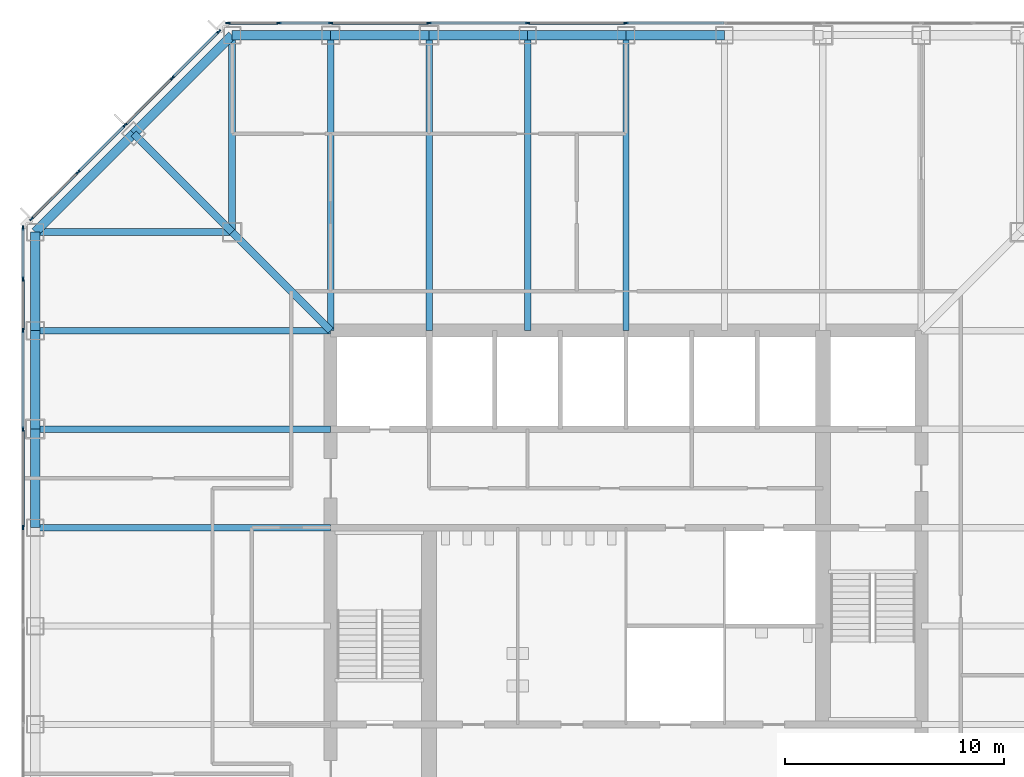
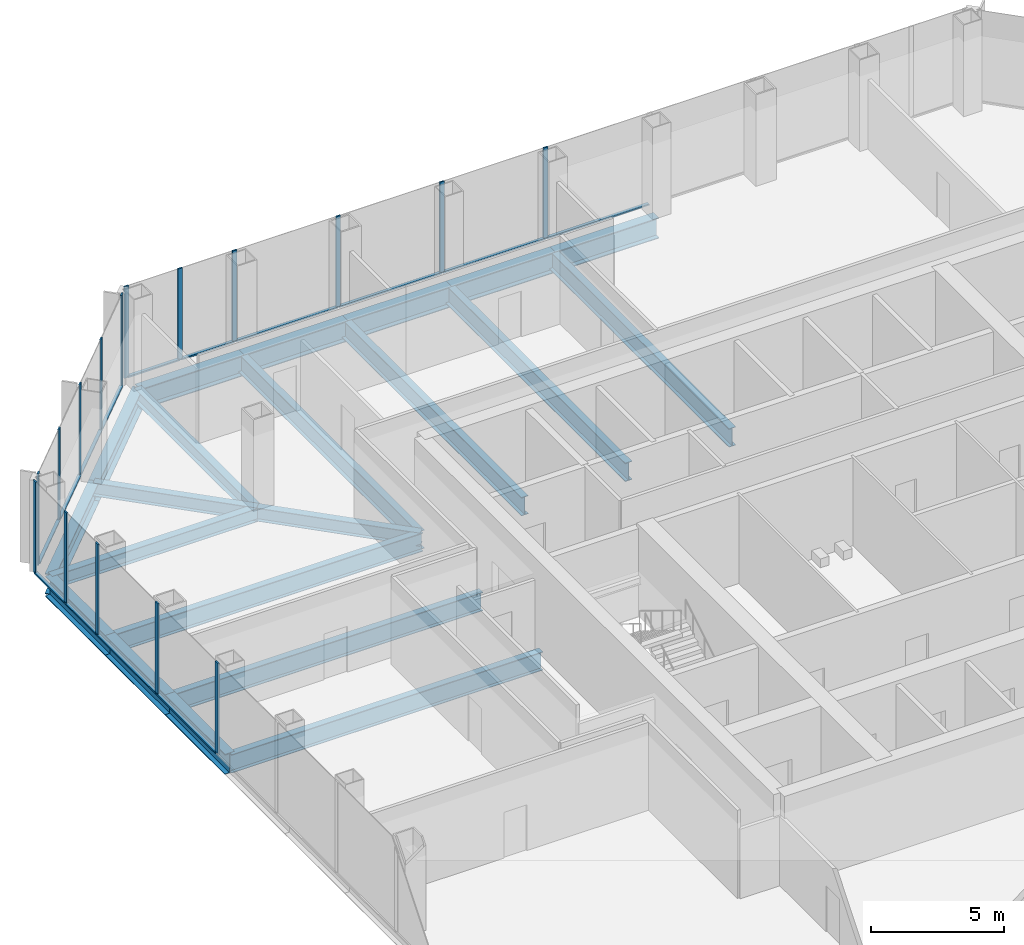
# One storey, part 5 of 13: 30 members, 21 beams, 3 elements without a shape of their own.
"""IFC4 building model written with IfcOpenShell, lengths in metres."""

from ifc_helpers import new_model, si_unit, direction, frame, origin, origin_2d, place, context, subcontext, project, spatial, rectangle, i_section, extrude, material, material_profile, profile_set, type_object, element, aggregate, save


model = new_model("IFC4")

# Units and contexts
model_context = context("Model", 3, precision=1e-05, world=origin(), true_north=direction((0.0, 1.0)))
body_context = subcontext(model_context, "Body", "Model", "MODEL_VIEW")
ifc_project = project(units=[si_unit("LENGTHUNIT", "METRE"), si_unit("AREAUNIT", "SQUARE_METRE"), si_unit("VOLUMEUNIT", "CUBIC_METRE"), si_unit("PLANEANGLEUNIT", "RADIAN"), si_unit("MASSUNIT", "GRAM", prefix="KILO")], contexts=[model_context])

# Site, building, storey
site_placement = place(None, origin())
site = spatial("IfcSite", under=ifc_project, at=site_placement, CompositionType="ELEMENT")
building_placement = place(site_placement, origin())
building = spatial("IfcBuilding", under=site, at=building_placement, Name="Corais Broadcast Tower", CompositionType="ELEMENT")
storey_placement = place(building_placement, frame((0.0, 0.0, 96.199951171875)))
storey = spatial("IfcBuildingStorey", under=building, at=storey_placement, Name="L21", CompositionType="ELEMENT", Elevation=96.199951171875)

# Beams
ifc_material_1 = material(Name="Steel ASTM A572 Grade 50", Category="steel")
ifc_material_profile_1 = material_profile(ifc_material_1, i_section(OverallWidth=0.323974609375, OverallDepth=0.611083984375, WebThickness=0.0126953125, FlangeThickness=0.01904296875, at=origin_2d()), Name="W610x155")
ifc_profile_set_1 = profile_set([ifc_material_profile_1], Name="Steel ASTM A572 Grade 50")
beam_type_1 = type_object("IfcBeamType", Name="Chamfer tie W610x155", PredefinedType="BEAM", material=ifc_profile_set_1)
beam_1_placement = place(storey_placement, frame((4.5, 49.5, -0.46533203125), z_axis=(0.707106781187, -0.707106781187, 0.0), x_axis=(0.707106781187, 0.707106781187, 0.0)))
element("IfcBeam", 1, at=beam_1_placement, inside=storey, type_object=beam_type_1, Name="B5 M/4 to L/5", PredefinedType="BEAM", context=body_context, shape_type="SweptSolid", body=[
    extrude(i_section(OverallWidth=0.323974609375, OverallDepth=0.611083984375, WebThickness=0.0126953125, FlangeThickness=0.01904296875, at=origin_2d()), origin(), (0.0, 0.0, 1.0), 6.364013671875),
])
ifc_material_2 = material(Name="Steel ASTM A572 Grade 50", Category="steel")
ifc_material_profile_2 = material_profile(ifc_material_2, i_section(OverallWidth=0.323974609375, OverallDepth=0.611083984375, WebThickness=0.0126953125, FlangeThickness=0.01904296875, at=origin_2d()), Name="W610x155")
ifc_profile_set_2 = profile_set([ifc_material_profile_2], Name="Steel ASTM A572 Grade 50")
beam_type_2 = type_object("IfcBeamType", Name="Corner diagonal W610x155", PredefinedType="BEAM", material=ifc_profile_set_2)
beam_2_placement = place(storey_placement, frame((9.0, 45.0, -0.46533203125), z_axis=(0.707106781187, -0.707106781187, 0.0), x_axis=(0.707106781187, 0.707106781187, 0.0)))
element("IfcBeam", 2, at=beam_2_placement, inside=storey, type_object=beam_type_2, Name="B6 L/5 to K/6", PredefinedType="BEAM", context=body_context, shape_type="SweptSolid", body=[
    extrude(i_section(OverallWidth=0.323974609375, OverallDepth=0.611083984375, WebThickness=0.0126953125, FlangeThickness=0.01904296875, at=origin_2d()), origin(), (0.0, 0.0, 1.0), 6.364013671875),
])
ifc_material_3 = material(Name="Steel ASTM A572 Grade 50", Category="steel")
ifc_material_profile_3 = material_profile(ifc_material_3, i_section(OverallWidth=0.323974609375, OverallDepth=0.611083984375, WebThickness=0.0126953125, FlangeThickness=0.01904296875, at=origin_2d()), Name="W610x155")
ifc_profile_set_3 = profile_set([ifc_material_profile_3], Name="Steel ASTM A572 Grade 50")
beam_type_3 = type_object("IfcBeamType", Name="Corner girder W610x155", PredefinedType="BEAM", material=ifc_profile_set_3)
for number, where, z_axis, x_axis, name in (
    (3, (0.0, 45.0, -0.46533203125), (1.0, 0.0, 0.0), (0.0, 1.0, 0.0), "B4 L/3 to L/5"),
    (4, (9.0, 54.0, -0.46533203125), (0.0, -1.0, 0.0), (1.0, 0.0, 0.0), "B4 N/5 to L/5"),
):
    element("IfcBeam", number, at=place(storey_placement, frame(where, z_axis=z_axis, x_axis=x_axis)), inside=storey, type_object=beam_type_3, Name=name, PredefinedType="BEAM", context=body_context, shape_type="SweptSolid", body=[
        extrude(i_section(OverallWidth=0.323974609375, OverallDepth=0.611083984375, WebThickness=0.0126953125, FlangeThickness=0.01904296875, at=origin_2d()), origin(), (0.0, 0.0, 1.0), 9.0),
    ])
ifc_material_4 = material(Name="Steel ASTM A572 Grade 50", Category="steel")
ifc_material_profile_4 = material_profile(ifc_material_4, i_section(OverallWidth=0.2939453125, OverallDepth=0.85107421875, WebThickness=0.01611328125, FlangeThickness=0.02685546875, at=origin_2d()), Name="W840x226")
ifc_profile_set_4 = profile_set([ifc_material_profile_4], Name="Steel ASTM A572 Grade 50")
beam_type_4 = type_object("IfcBeamType", Name="Floor beam W840x226", PredefinedType="BEAM", material=ifc_profile_set_4)
for number, where, z_axis, x_axis, name in (
    (5, (0.0, 31.5, -0.58544921875), (1.0, 0.0, 0.0), (0.0, 1.0, 0.0), "B1 H/3 to H/6"),
    (6, (0.0, 36.0, -0.58544921875), (1.0, 0.0, 0.0), (0.0, 1.0, 0.0), "B1 J/3 to J/6"),
    (7, (0.0, 40.5, -0.58544921875), (1.0, 0.0, 0.0), (0.0, 1.0, 0.0), "B1 K/3 to K/6"),
    (8, (13.5, 54.0, -0.58544921875), (0.0, -1.0, 0.0), (1.0, 0.0, 0.0), "B1 N/6 to K/6"),
    (9, (18.0, 54.0, -0.58544921875), (0.0, -1.0, 0.0), (1.0, 0.0, 0.0), "B1 N/7 to K/7"),
    (10, (22.5, 54.0, -0.58544921875), (0.0, -1.0, 0.0), (1.0, 0.0, 0.0), "B1 N/8 to K/8"),
    (11, (27.0, 54.0, -0.58544921875), (0.0, -1.0, 0.0), (1.0, 0.0, 0.0), "B1 N/9 to K/9"),
):
    element("IfcBeam", number, at=place(storey_placement, frame(where, z_axis=z_axis, x_axis=x_axis)), inside=storey, type_object=beam_type_4, Name=name, PredefinedType="BEAM", context=body_context, shape_type="SweptSolid", body=[
        extrude(i_section(OverallWidth=0.2939453125, OverallDepth=0.85107421875, WebThickness=0.01611328125, FlangeThickness=0.02685546875, at=origin_2d()), origin(), (0.0, 0.0, 1.0), 13.5),
    ])

# Curtain wall, members
ifc_material_5 = material(Name="Aluminium and glass", Category="aluminium")
curtain_wall_type = type_object("IfcCurtainWallType", Name="Unitised fritted curtain wall CW1", PredefinedType="NOTDEFINED", material=ifc_material_5)
curtain_wall_1_placement = place(storey_placement, origin())
curtain_wall_1 = element("IfcCurtainWall", 12, at=curtain_wall_1_placement, inside=storey, type_object=curtain_wall_type, Name="CW1 curtain wall L21 2", PredefinedType="NOTDEFINED")
ifc_material_6 = material(Name="Aluminium 6063-T6", Category="aluminium")
ifc_material_profile_5 = material_profile(ifc_material_6, rectangle(XDim=0.06494140625, YDim=0.199951171875, at=origin_2d()), Name="Mullion CW1 65x200")
ifc_profile_set_5 = profile_set([ifc_material_profile_5], Name="Aluminium 6063-T6")
member_type_1 = type_object("IfcMemberType", Name="Mullion CW1 65x200", PredefinedType="MULLION", material=ifc_profile_set_5)
member_1_placement = place(storey_placement, frame((-0.550048828125, 31.5, 0.0), z_axis=(0.0, 0.0, 1.0), x_axis=(-1.0, 0.0, 0.0)))
member_1 = element("IfcMember", 13, at=member_1_placement, type_object=member_type_1, Name="CW1 mullion 7", PredefinedType="MULLION", context=body_context, shape_type="SweptSolid", body=[
    extrude(rectangle(XDim=0.06494140625, YDim=0.199951171875, at=origin_2d()), origin(), (0.0, 0.0, 1.0), 4.199951171875),
])
member_2_placement = place(storey_placement, frame((-0.550048828125, 36.0, 0.0), z_axis=(0.0, 0.0, 1.0), x_axis=(-1.0, 0.0, 0.0)))
member_2 = element("IfcMember", 14, at=member_2_placement, type_object=member_type_1, Name="CW1 mullion 8", PredefinedType="MULLION", context=body_context, shape_type="SweptSolid", body=[
    extrude(rectangle(XDim=0.06494140625, YDim=0.199951171875, at=origin_2d()), origin(), (0.0, 0.0, 1.0), 4.199951171875),
])
member_3_placement = place(storey_placement, frame((-0.550048828125, 40.5, 0.0), z_axis=(0.0, 0.0, 1.0), x_axis=(-1.0, 0.0, 0.0)))
member_3 = element("IfcMember", 15, at=member_3_placement, type_object=member_type_1, Name="CW1 mullion 9", PredefinedType="MULLION", context=body_context, shape_type="SweptSolid", body=[
    extrude(rectangle(XDim=0.06494140625, YDim=0.199951171875, at=origin_2d()), origin(), (0.0, 0.0, 1.0), 4.199951171875),
])
member_4_placement = place(storey_placement, frame((-0.550048828125, 42.864013671875, 0.0), z_axis=(0.0, 0.0, 1.0), x_axis=(-1.0, 0.0, 0.0)))
member_4 = element("IfcMember", 16, at=member_4_placement, type_object=member_type_1, Name="CW1 mullion 10", PredefinedType="MULLION", context=body_context, shape_type="SweptSolid", body=[
    extrude(rectangle(XDim=0.06494140625, YDim=0.199951171875, at=origin_2d()), origin(), (0.0, 0.0, 1.0), 4.199951171875),
])
member_5_placement = place(storey_placement, frame((-0.550048828125, 45.1953125, 0.0), z_axis=(0.0, 0.0, 1.0), x_axis=(-1.0, 0.0, 0.0)))
member_5 = element("IfcMember", 17, at=member_5_placement, type_object=member_type_1, Name="CW1 mullion 11", PredefinedType="MULLION", context=body_context, shape_type="SweptSolid", body=[
    extrude(rectangle(XDim=0.06494140625, YDim=0.199951171875, at=origin_2d()), origin(), (0.0, 0.0, 1.0), 4.199951171875),
])

curtain_wall_2_placement = place(storey_placement, origin())
curtain_wall_2 = element("IfcCurtainWall", 18, at=curtain_wall_2_placement, inside=storey, type_object=curtain_wall_type, Name="CW1 curtain wall L21 3", PredefinedType="NOTDEFINED")
member_6_placement = place(storey_placement, frame((-0.17333984375, 45.6044921875, 0.0), z_axis=(0.0, 0.0, 1.0), x_axis=(-0.707106781187, 0.707106781187, 0.0)))
member_6 = element("IfcMember", 19, at=member_6_placement, type_object=member_type_1, Name="CW1 mullion 1", PredefinedType="MULLION", context=body_context, shape_type="SweptSolid", body=[
    extrude(rectangle(XDim=0.06494140625, YDim=0.199951171875, at=origin_2d()), origin(), (0.0, 0.0, 1.0), 4.199951171875),
])
member_7_placement = place(storey_placement, frame((1.957275390625, 47.735107421875, 0.0), z_axis=(0.0, 0.0, 1.0), x_axis=(-0.707106781187, 0.707106781187, 0.0)))
member_7 = element("IfcMember", 20, at=member_7_placement, type_object=member_type_1, Name="CW1 mullion 2", PredefinedType="MULLION", context=body_context, shape_type="SweptSolid", body=[
    extrude(rectangle(XDim=0.06494140625, YDim=0.199951171875, at=origin_2d()), origin(), (0.0, 0.0, 1.0), 4.199951171875),
])
member_8_placement = place(storey_placement, frame((4.111083984375, 49.888916015625, 0.0), z_axis=(0.0, 0.0, 1.0), x_axis=(-0.707106781187, 0.707106781187, 0.0)))
member_8 = element("IfcMember", 21, at=member_8_placement, type_object=member_type_1, Name="CW1 mullion 3", PredefinedType="MULLION", context=body_context, shape_type="SweptSolid", body=[
    extrude(rectangle(XDim=0.06494140625, YDim=0.199951171875, at=origin_2d()), origin(), (0.0, 0.0, 1.0), 4.199951171875),
])
member_9_placement = place(storey_placement, frame((6.264892578125, 52.042724609375, 0.0), z_axis=(0.0, 0.0, 1.0), x_axis=(-0.707106781187, 0.707106781187, 0.0)))
member_9 = element("IfcMember", 22, at=member_9_placement, type_object=member_type_1, Name="CW1 mullion 4", PredefinedType="MULLION", context=body_context, shape_type="SweptSolid", body=[
    extrude(rectangle(XDim=0.06494140625, YDim=0.199951171875, at=origin_2d()), origin(), (0.0, 0.0, 1.0), 4.199951171875),
])
member_10_placement = place(storey_placement, frame((8.3955078125, 54.17333984375, 0.0), z_axis=(0.0, 0.0, 1.0), x_axis=(-0.707106781187, 0.707106781187, 0.0)))
member_10 = element("IfcMember", 23, at=member_10_placement, type_object=member_type_1, Name="CW1 mullion 5", PredefinedType="MULLION", context=body_context, shape_type="SweptSolid", body=[
    extrude(rectangle(XDim=0.06494140625, YDim=0.199951171875, at=origin_2d()), origin(), (0.0, 0.0, 1.0), 4.199951171875),
])

curtain_wall_3_placement = place(storey_placement, origin())
curtain_wall_3 = element("IfcCurtainWall", 24, at=curtain_wall_3_placement, inside=storey, type_object=curtain_wall_type, Name="CW1 curtain wall L21 4", PredefinedType="NOTDEFINED")
member_11_placement = place(storey_placement, frame((8.8046875, 54.550048828125, 0.0), z_axis=(0.0, 0.0, 1.0), x_axis=(0.0, 1.0, 0.0)))
member_11 = element("IfcMember", 25, at=member_11_placement, type_object=member_type_1, Name="CW1 mullion 1", PredefinedType="MULLION", context=body_context, shape_type="SweptSolid", body=[
    extrude(rectangle(XDim=0.06494140625, YDim=0.199951171875, at=origin_2d()), origin(), (0.0, 0.0, 1.0), 4.199951171875),
])
member_12_placement = place(storey_placement, frame((11.135986328125, 54.550048828125, 0.0), z_axis=(0.0, 0.0, 1.0), x_axis=(0.0, 1.0, 0.0)))
member_12 = element("IfcMember", 26, at=member_12_placement, type_object=member_type_1, Name="CW1 mullion 2", PredefinedType="MULLION", context=body_context, shape_type="SweptSolid", body=[
    extrude(rectangle(XDim=0.06494140625, YDim=0.199951171875, at=origin_2d()), origin(), (0.0, 0.0, 1.0), 4.199951171875),
])
member_13_placement = place(storey_placement, frame((13.5, 54.550048828125, 0.0), z_axis=(0.0, 0.0, 1.0), x_axis=(0.0, 1.0, 0.0)))
member_13 = element("IfcMember", 27, at=member_13_placement, type_object=member_type_1, Name="CW1 mullion 3", PredefinedType="MULLION", context=body_context, shape_type="SweptSolid", body=[
    extrude(rectangle(XDim=0.06494140625, YDim=0.199951171875, at=origin_2d()), origin(), (0.0, 0.0, 1.0), 4.199951171875),
])
member_14_placement = place(storey_placement, frame((18.0, 54.550048828125, 0.0), z_axis=(0.0, 0.0, 1.0), x_axis=(0.0, 1.0, 0.0)))
member_14 = element("IfcMember", 28, at=member_14_placement, type_object=member_type_1, Name="CW1 mullion 4", PredefinedType="MULLION", context=body_context, shape_type="SweptSolid", body=[
    extrude(rectangle(XDim=0.06494140625, YDim=0.199951171875, at=origin_2d()), origin(), (0.0, 0.0, 1.0), 4.199951171875),
])
member_15_placement = place(storey_placement, frame((22.5, 54.550048828125, 0.0), z_axis=(0.0, 0.0, 1.0), x_axis=(0.0, 1.0, 0.0)))
member_15 = element("IfcMember", 29, at=member_15_placement, type_object=member_type_1, Name="CW1 mullion 5", PredefinedType="MULLION", context=body_context, shape_type="SweptSolid", body=[
    extrude(rectangle(XDim=0.06494140625, YDim=0.199951171875, at=origin_2d()), origin(), (0.0, 0.0, 1.0), 4.199951171875),
])
member_16_placement = place(storey_placement, frame((27.0, 54.550048828125, 0.0), z_axis=(0.0, 0.0, 1.0), x_axis=(0.0, 1.0, 0.0)))
member_16 = element("IfcMember", 30, at=member_16_placement, type_object=member_type_1, Name="CW1 mullion 6", PredefinedType="MULLION", context=body_context, shape_type="SweptSolid", body=[
    extrude(rectangle(XDim=0.06494140625, YDim=0.199951171875, at=origin_2d()), origin(), (0.0, 0.0, 1.0), 4.199951171875),
])

# Beams
ifc_material_7 = material(Name="Steel ASTM A572 Grade 50", Category="steel")
ifc_material_profile_6 = material_profile(ifc_material_7, i_section(OverallWidth=0.4189453125, OverallDepth=0.94189453125, WebThickness=0.022216796875, FlangeThickness=0.03662109375, at=origin_2d()), Name="W920x345")
ifc_profile_set_6 = profile_set([ifc_material_profile_6], Name="Steel ASTM A572 Grade 50")
beam_type_5 = type_object("IfcBeamType", Name="Transfer spandrel W920x345", PredefinedType="BEAM", material=ifc_profile_set_6)
for number, where, z_axis, x_axis, name in (
    (31, (0.0, 36.0, -0.630859375), (0.0, -1.0, 0.0), (1.0, 0.0, 0.0), "SB4 J/3 to H/3"),
    (32, (0.0, 40.5, -0.630859375), (0.0, -1.0, 0.0), (1.0, 0.0, 0.0), "SB4 K/3 to J/3"),
    (33, (0.0, 45.0, -0.630859375), (0.0, -1.0, 0.0), (1.0, 0.0, 0.0), "SB4 L/3 to K/3"),
    (34, (13.5, 54.0, -0.630859375), (-1.0, 0.0, 0.0), (0.0, -1.0, 0.0), "SB4 N/6 to N/5"),
    (35, (18.0, 54.0, -0.630859375), (-1.0, 0.0, 0.0), (0.0, -1.0, 0.0), "SB4 N/7 to N/6"),
    (36, (22.5, 54.0, -0.630859375), (-1.0, 0.0, 0.0), (0.0, -1.0, 0.0), "SB4 N/8 to N/7"),
    (37, (27.0, 54.0, -0.630859375), (-1.0, 0.0, 0.0), (0.0, -1.0, 0.0), "SB4 N/9 to N/8"),
    (38, (31.5, 54.0, -0.630859375), (-1.0, 0.0, 0.0), (0.0, -1.0, 0.0), "SB4 N/10 to N/9"),
):
    element("IfcBeam", number, at=place(storey_placement, frame(where, z_axis=z_axis, x_axis=x_axis)), inside=storey, type_object=beam_type_5, Name=name, PredefinedType="BEAM", context=body_context, shape_type="SweptSolid", body=[
        extrude(i_section(OverallWidth=0.4189453125, OverallDepth=0.94189453125, WebThickness=0.022216796875, FlangeThickness=0.03662109375, at=origin_2d()), origin(), (0.0, 0.0, 1.0), 4.5),
    ])
for number, where, z_axis, x_axis, name in (
    (39, (4.5, 49.5, -0.630859375), (-0.707106781187, -0.707106781187, 0.0), (0.707106781187, -0.707106781187, 0.0), "SB4 M/4 to L/3"),
    (40, (9.0, 54.0, -0.630859375), (-0.707106781187, -0.707106781187, 0.0), (0.707106781187, -0.707106781187, 0.0), "SB4 N/5 to M/4"),
):
    element("IfcBeam", number, at=place(storey_placement, frame(where, z_axis=z_axis, x_axis=x_axis)), inside=storey, type_object=beam_type_5, Name=name, PredefinedType="BEAM", context=body_context, shape_type="SweptSolid", body=[
        extrude(i_section(OverallWidth=0.4189453125, OverallDepth=0.94189453125, WebThickness=0.022216796875, FlangeThickness=0.03662109375, at=origin_2d()), origin(), (0.0, 0.0, 1.0), 6.364013671875),
    ])

# Member
ifc_material_8 = material(Name="Aluminium 6063-T6", Category="aluminium")
ifc_material_profile_7 = material_profile(ifc_material_8, rectangle(XDim=0.139892578125, YDim=0.06494140625, at=origin_2d()), Name="Transom CW1 65x140")
ifc_profile_set_7 = profile_set([ifc_material_profile_7], Name="Aluminium 6063-T6")
member_type_2 = type_object("IfcMemberType", Name="Transom CW1 65x140", PredefinedType="USERDEFINED", material=ifc_profile_set_7)
member_17_placement = place(storey_placement, frame((-0.550048828125, 31.532470703125, 0.032470703125), z_axis=(0.0, 1.0, 0.0), x_axis=(-1.0, 0.0, 0.0)))
member_17 = element("IfcMember", 41, at=member_17_placement, type_object=member_type_2, Name="CW1 transom 7.1", ObjectType="TRANSOM", PredefinedType="USERDEFINED", context=body_context, shape_type="SweptSolid", body=[
    extrude(rectangle(XDim=0.139892578125, YDim=0.06494140625, at=origin_2d()), origin(), (0.0, 0.0, 1.0), 4.43505859375),
])

member_18_placement = place(storey_placement, frame((-0.550048828125, 36.032470703125, 0.032470703125), z_axis=(0.0, 1.0, 0.0), x_axis=(-1.0, 0.0, 0.0)))
member_18 = element("IfcMember", 42, at=member_18_placement, type_object=member_type_2, Name="CW1 transom 8.1", ObjectType="TRANSOM", PredefinedType="USERDEFINED", context=body_context, shape_type="SweptSolid", body=[
    extrude(rectangle(XDim=0.139892578125, YDim=0.06494140625, at=origin_2d()), origin(), (0.0, 0.0, 1.0), 4.43505859375),
])

member_19_placement = place(storey_placement, frame((-0.550048828125, 40.532470703125, 0.032470703125), z_axis=(0.0, 1.0, 0.0), x_axis=(-1.0, 0.0, 0.0)))
member_19 = element("IfcMember", 43, at=member_19_placement, type_object=member_type_2, Name="CW1 transom 9.1", ObjectType="TRANSOM", PredefinedType="USERDEFINED", context=body_context, shape_type="SweptSolid", body=[
    extrude(rectangle(XDim=0.139892578125, YDim=0.06494140625, at=origin_2d()), origin(), (0.0, 0.0, 1.0), 2.298828125),
])

member_20_placement = place(storey_placement, frame((-0.550048828125, 42.896484375, 0.032470703125), z_axis=(0.0, 1.0, 0.0), x_axis=(-1.0, 0.0, 0.0)))
member_20 = element("IfcMember", 44, at=member_20_placement, type_object=member_type_2, Name="CW1 transom 10.1", ObjectType="TRANSOM", PredefinedType="USERDEFINED", context=body_context, shape_type="SweptSolid", body=[
    extrude(rectangle(XDim=0.139892578125, YDim=0.06494140625, at=origin_2d()), origin(), (0.0, 0.0, 1.0), 2.266357421875),
])

aggregate(curtain_wall_1, [member_1, member_2, member_3, member_4, member_5, member_17, member_18, member_19, member_20])

member_21_placement = place(storey_placement, frame((-0.150390625, 45.62744140625, 0.032470703125), z_axis=(0.707106781187, 0.707106781187, 0.0), x_axis=(-0.707106781187, 0.707106781187, 0.0)))
member_21 = element("IfcMember", 45, at=member_21_placement, type_object=member_type_2, Name="CW1 transom 1.1", ObjectType="TRANSOM", PredefinedType="USERDEFINED", context=body_context, shape_type="SweptSolid", body=[
    extrude(rectangle(XDim=0.139892578125, YDim=0.06494140625, at=origin_2d()), origin(), (0.0, 0.0, 1.0), 2.9482421875),
])

member_22_placement = place(storey_placement, frame((1.980224609375, 47.758056640625, 0.032470703125), z_axis=(0.707106781187, 0.707106781187, 0.0), x_axis=(-0.707106781187, 0.707106781187, 0.0)))
member_22 = element("IfcMember", 46, at=member_22_placement, type_object=member_type_2, Name="CW1 transom 2.1", ObjectType="TRANSOM", PredefinedType="USERDEFINED", context=body_context, shape_type="SweptSolid", body=[
    extrude(rectangle(XDim=0.139892578125, YDim=0.06494140625, at=origin_2d()), origin(), (0.0, 0.0, 1.0), 2.98095703125),
])

member_23_placement = place(storey_placement, frame((4.134033203125, 49.911865234375, 0.032470703125), z_axis=(0.707106781187, 0.707106781187, 0.0), x_axis=(-0.707106781187, 0.707106781187, 0.0)))
member_23 = element("IfcMember", 47, at=member_23_placement, type_object=member_type_2, Name="CW1 transom 3.1", ObjectType="TRANSOM", PredefinedType="USERDEFINED", context=body_context, shape_type="SweptSolid", body=[
    extrude(rectangle(XDim=0.139892578125, YDim=0.06494140625, at=origin_2d()), origin(), (0.0, 0.0, 1.0), 2.98095703125),
])

member_24_placement = place(storey_placement, frame((6.287841796875, 52.065673828125, 0.032470703125), z_axis=(0.707106781187, 0.707106781187, 0.0), x_axis=(-0.707106781187, 0.707106781187, 0.0)))
member_24 = element("IfcMember", 48, at=member_24_placement, type_object=member_type_2, Name="CW1 transom 4.1", ObjectType="TRANSOM", PredefinedType="USERDEFINED", context=body_context, shape_type="SweptSolid", body=[
    extrude(rectangle(XDim=0.139892578125, YDim=0.06494140625, at=origin_2d()), origin(), (0.0, 0.0, 1.0), 2.9482421875),
])

aggregate(curtain_wall_2, [member_6, member_7, member_8, member_9, member_10, member_21, member_22, member_23, member_24])

member_25_placement = place(storey_placement, frame((8.837158203125, 54.550048828125, 0.032470703125), z_axis=(1.0, 0.0, 0.0), x_axis=(0.0, 1.0, 0.0)))
member_25 = element("IfcMember", 49, at=member_25_placement, type_object=member_type_2, Name="CW1 transom 1.1", ObjectType="TRANSOM", PredefinedType="USERDEFINED", context=body_context, shape_type="SweptSolid", body=[
    extrude(rectangle(XDim=0.139892578125, YDim=0.06494140625, at=origin_2d()), origin(), (0.0, 0.0, 1.0), 2.266357421875),
])

member_26_placement = place(storey_placement, frame((11.168701171875, 54.550048828125, 0.032470703125), z_axis=(1.0, 0.0, 0.0), x_axis=(0.0, 1.0, 0.0)))
member_26 = element("IfcMember", 50, at=member_26_placement, type_object=member_type_2, Name="CW1 transom 2.1", ObjectType="TRANSOM", PredefinedType="USERDEFINED", context=body_context, shape_type="SweptSolid", body=[
    extrude(rectangle(XDim=0.139892578125, YDim=0.06494140625, at=origin_2d()), origin(), (0.0, 0.0, 1.0), 2.298828125),
])

member_27_placement = place(storey_placement, frame((13.532470703125, 54.550048828125, 0.032470703125), z_axis=(1.0, 0.0, 0.0), x_axis=(0.0, 1.0, 0.0)))
member_27 = element("IfcMember", 51, at=member_27_placement, type_object=member_type_2, Name="CW1 transom 3.1", ObjectType="TRANSOM", PredefinedType="USERDEFINED", context=body_context, shape_type="SweptSolid", body=[
    extrude(rectangle(XDim=0.139892578125, YDim=0.06494140625, at=origin_2d()), origin(), (0.0, 0.0, 1.0), 4.43505859375),
])

member_28_placement = place(storey_placement, frame((18.032470703125, 54.550048828125, 0.032470703125), z_axis=(1.0, 0.0, 0.0), x_axis=(0.0, 1.0, 0.0)))
member_28 = element("IfcMember", 52, at=member_28_placement, type_object=member_type_2, Name="CW1 transom 4.1", ObjectType="TRANSOM", PredefinedType="USERDEFINED", context=body_context, shape_type="SweptSolid", body=[
    extrude(rectangle(XDim=0.139892578125, YDim=0.06494140625, at=origin_2d()), origin(), (0.0, 0.0, 1.0), 4.43505859375),
])

member_29_placement = place(storey_placement, frame((22.532470703125, 54.550048828125, 0.032470703125), z_axis=(1.0, 0.0, 0.0), x_axis=(0.0, 1.0, 0.0)))
member_29 = element("IfcMember", 53, at=member_29_placement, type_object=member_type_2, Name="CW1 transom 5.1", ObjectType="TRANSOM", PredefinedType="USERDEFINED", context=body_context, shape_type="SweptSolid", body=[
    extrude(rectangle(XDim=0.139892578125, YDim=0.06494140625, at=origin_2d()), origin(), (0.0, 0.0, 1.0), 4.43505859375),
])

member_30_placement = place(storey_placement, frame((27.032470703125, 54.550048828125, 0.032470703125), z_axis=(1.0, 0.0, 0.0), x_axis=(0.0, 1.0, 0.0)))
member_30 = element("IfcMember", 54, at=member_30_placement, type_object=member_type_2, Name="CW1 transom 6.1", ObjectType="TRANSOM", PredefinedType="USERDEFINED", context=body_context, shape_type="SweptSolid", body=[
    extrude(rectangle(XDim=0.139892578125, YDim=0.06494140625, at=origin_2d()), origin(), (0.0, 0.0, 1.0), 4.43505859375),
])

aggregate(curtain_wall_3, [member_11, member_12, member_13, member_14, member_15, member_16, member_25, member_26, member_27, member_28, member_29, member_30])

save(model, "model.ifc")
